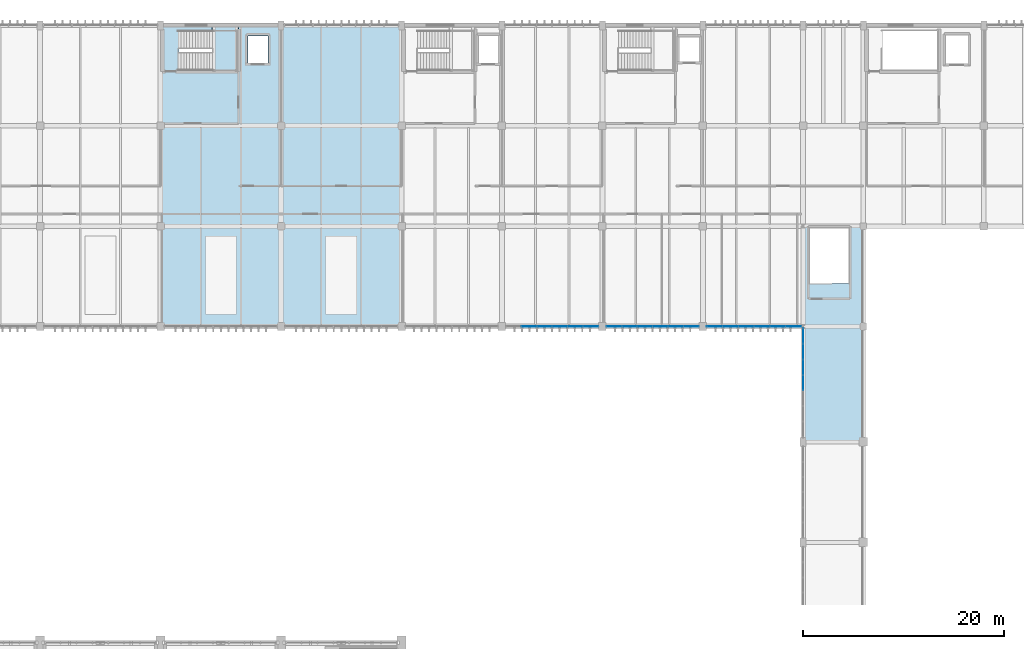
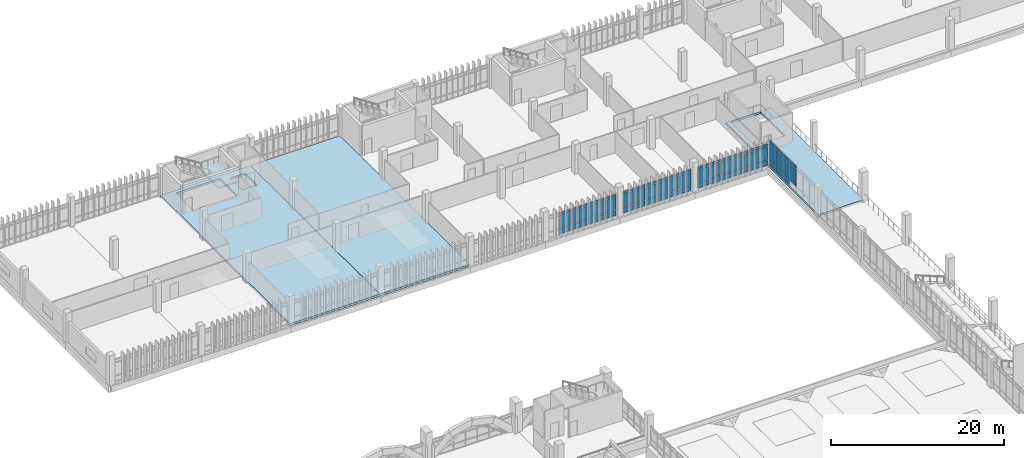
# One storey, part 133 of 161: 62 plates, 4 slabs, 5 elements without a shape of their own.
"""IFC4 building model written with IfcOpenShell, lengths in metres."""

from ifc_helpers import new_model, si_unit, direction, frame, origin, origin_2d, place, context, subcontext, project, spatial, polyline, rectangle, outline, extrude, material, layer, layer_set, type_object, element, aggregate, save


model = new_model("IFC4")

# Units and contexts
model_context = context("Model", 3, precision=1e-05, world=origin(), true_north=direction((0.0, 1.0)))
body_context = subcontext(model_context, "Body", "Model", "MODEL_VIEW")
ifc_project = project(units=[si_unit("LENGTHUNIT", "METRE"), si_unit("AREAUNIT", "SQUARE_METRE"), si_unit("VOLUMEUNIT", "CUBIC_METRE"), si_unit("PLANEANGLEUNIT", "RADIAN"), si_unit("MASSUNIT", "GRAM", prefix="KILO")], contexts=[model_context])

# Site, building, storey
site_placement = place(None, origin())
site = spatial("IfcSite", under=ifc_project, at=site_placement, CompositionType="ELEMENT")
building_placement = place(site_placement, origin())
building = spatial("IfcBuilding", under=site, at=building_placement, Name="Mersad Railyard Sports Hall", CompositionType="ELEMENT")
storey_placement = place(building_placement, frame((0.0, 0.0, 4.800048828125)))
storey = spatial("IfcBuildingStorey", under=building, at=storey_placement, Name="L01", CompositionType="ELEMENT", Elevation=4.800048828125)

# Curtain wall, plates
ifc_material_1 = material(Name="Aluminium 6063-T6", Category="aluminium")
ifc_layer_1 = layer(ifc_material_1, 0.159912109375)
ifc_layer_set_1 = layer_set([ifc_layer_1], Name="Aluminium 6063-T6")
curtain_wall_type_1 = type_object("IfcCurtainWallType", Name="ARC-CW-CW27", PredefinedType="USERDEFINED", material=ifc_layer_set_1)
curtain_wall_1_placement = place(storey_placement, origin())
curtain_wall_1 = element("IfcCurtainWall", 1, at=curtain_wall_1_placement, inside=storey, type_object=curtain_wall_type_1, Name="Curtain wall CW27-0078", ObjectType="CURTAIN WALL", PredefinedType="USERDEFINED")
ifc_material_2 = material(Name="Solar-control glass", Category="glass")
ifc_layer_2 = layer(ifc_material_2, 0.028076171875)
ifc_layer_set_2 = layer_set([ifc_layer_2], Name="Solar-control glass")
plate_type = type_object("IfcPlateType", Name="ARC-CW-PNL01", PredefinedType="CURTAIN_PANEL", material=ifc_layer_set_2)
plate_1_placement = place(storey_placement, frame((131.0, 79.39990234375, 0.89501953125), z_axis=(0.0, 0.0, 1.0), x_axis=(0.0, 1.0, 0.0)))
plate_1 = element("IfcPlate", 2, at=plate_1_placement, type_object=plate_type, Name="CW27 Glazed panel 4-2", PredefinedType="CURTAIN_PANEL", context=body_context, shape_type="SweptSolid", body=[
    extrude(rectangle(XDim=1.50732421875, YDim=0.028076171875, at=origin_2d()), origin(), (0.0, 0.0, 1.0), 2.43994140625),
])
plate_2_placement = place(storey_placement, frame((131.0, 79.39990234375, 3.4248046875), z_axis=(0.0, 0.0, 1.0), x_axis=(0.0, 1.0, 0.0)))
plate_2 = element("IfcPlate", 3, at=plate_2_placement, type_object=plate_type, Name="CW27 Glazed panel 4-3", PredefinedType="CURTAIN_PANEL", context=body_context, shape_type="SweptSolid", body=[
    extrude(rectangle(XDim=1.50732421875, YDim=0.028076171875, at=origin_2d()), origin(), (0.0, 0.0, 1.0), 0.35009765625),
])
plate_3_placement = place(storey_placement, frame((131.0, 80.951416015625, 0.0849609375), z_axis=(0.0, 0.0, 1.0), x_axis=(0.0, 1.0, 0.0)))
plate_3 = element("IfcPlate", 4, at=plate_3_placement, type_object=plate_type, Name="CW27 Glazed panel 5-1", PredefinedType="CURTAIN_PANEL", context=body_context, shape_type="SweptSolid", body=[
    extrude(rectangle(XDim=1.50732421875, YDim=0.028076171875, at=origin_2d()), origin(), (0.0, 0.0, 1.0), 0.719970703125),
])
plate_4_placement = place(storey_placement, frame((131.0, 80.951416015625, 0.89501953125), z_axis=(0.0, 0.0, 1.0), x_axis=(0.0, 1.0, 0.0)))
plate_4 = element("IfcPlate", 5, at=plate_4_placement, type_object=plate_type, Name="CW27 Glazed panel 5-2", PredefinedType="CURTAIN_PANEL", context=body_context, shape_type="SweptSolid", body=[
    extrude(rectangle(XDim=1.50732421875, YDim=0.028076171875, at=origin_2d()), origin(), (0.0, 0.0, 1.0), 2.43994140625),
])
plate_5_placement = place(storey_placement, frame((131.0, 80.951416015625, 3.4248046875), z_axis=(0.0, 0.0, 1.0), x_axis=(0.0, 1.0, 0.0)))
plate_5 = element("IfcPlate", 6, at=plate_5_placement, type_object=plate_type, Name="CW27 Glazed panel 5-3", PredefinedType="CURTAIN_PANEL", context=body_context, shape_type="SweptSolid", body=[
    extrude(rectangle(XDim=1.50732421875, YDim=0.028076171875, at=origin_2d()), origin(), (0.0, 0.0, 1.0), 0.35009765625),
])
plate_6_placement = place(storey_placement, frame((131.0, 82.5029296875, 0.0849609375), z_axis=(0.0, 0.0, 1.0), x_axis=(0.0, 1.0, 0.0)))
plate_6 = element("IfcPlate", 7, at=plate_6_placement, type_object=plate_type, Name="CW27 Glazed panel 6-1", PredefinedType="CURTAIN_PANEL", context=body_context, shape_type="SweptSolid", body=[
    extrude(rectangle(XDim=1.50732421875, YDim=0.028076171875, at=origin_2d()), origin(), (0.0, 0.0, 1.0), 0.719970703125),
])
plate_7_placement = place(storey_placement, frame((131.0, 82.5029296875, 0.89501953125), z_axis=(0.0, 0.0, 1.0), x_axis=(0.0, 1.0, 0.0)))
plate_7 = element("IfcPlate", 8, at=plate_7_placement, type_object=plate_type, Name="CW27 Glazed panel 6-2", PredefinedType="CURTAIN_PANEL", context=body_context, shape_type="SweptSolid", body=[
    extrude(rectangle(XDim=1.50732421875, YDim=0.028076171875, at=origin_2d()), origin(), (0.0, 0.0, 1.0), 2.43994140625),
])
plate_8_placement = place(storey_placement, frame((131.0, 82.5029296875, 3.4248046875), z_axis=(0.0, 0.0, 1.0), x_axis=(0.0, 1.0, 0.0)))
plate_8 = element("IfcPlate", 9, at=plate_8_placement, type_object=plate_type, Name="CW27 Glazed panel 6-3", PredefinedType="CURTAIN_PANEL", context=body_context, shape_type="SweptSolid", body=[
    extrude(rectangle(XDim=1.50732421875, YDim=0.028076171875, at=origin_2d()), origin(), (0.0, 0.0, 1.0), 0.35009765625),
])
plate_9_placement = place(storey_placement, frame((131.0, 84.05419921875, 0.0849609375), z_axis=(0.0, 0.0, 1.0), x_axis=(0.0, 1.0, 0.0)))
plate_9 = element("IfcPlate", 10, at=plate_9_placement, type_object=plate_type, Name="CW27 Glazed panel 7-1", PredefinedType="CURTAIN_PANEL", context=body_context, shape_type="SweptSolid", body=[
    extrude(rectangle(XDim=1.50732421875, YDim=0.028076171875, at=origin_2d()), origin(), (0.0, 0.0, 1.0), 0.719970703125),
])
plate_10_placement = place(storey_placement, frame((131.0, 84.05419921875, 0.89501953125), z_axis=(0.0, 0.0, 1.0), x_axis=(0.0, 1.0, 0.0)))
plate_10 = element("IfcPlate", 11, at=plate_10_placement, type_object=plate_type, Name="CW27 Glazed panel 7-2", PredefinedType="CURTAIN_PANEL", context=body_context, shape_type="SweptSolid", body=[
    extrude(rectangle(XDim=1.50732421875, YDim=0.028076171875, at=origin_2d()), origin(), (0.0, 0.0, 1.0), 2.43994140625),
])
plate_11_placement = place(storey_placement, frame((131.0, 84.05419921875, 3.4248046875), z_axis=(0.0, 0.0, 1.0), x_axis=(0.0, 1.0, 0.0)))
plate_11 = element("IfcPlate", 12, at=plate_11_placement, type_object=plate_type, Name="CW27 Glazed panel 7-3", PredefinedType="CURTAIN_PANEL", context=body_context, shape_type="SweptSolid", body=[
    extrude(rectangle(XDim=1.50732421875, YDim=0.028076171875, at=origin_2d()), origin(), (0.0, 0.0, 1.0), 0.35009765625),
])
aggregate(curtain_wall_1, [plate_1, plate_2, plate_3, plate_4, plate_5, plate_6, plate_7, plate_8, plate_9, plate_10, plate_11])

ifc_layer_3 = layer(ifc_material_1, 0.159912109375)
ifc_layer_set_3 = layer_set([ifc_layer_3], Name="Aluminium 6063-T6")
curtain_wall_type_2 = type_object("IfcCurtainWallType", Name="ARC-CW-CW38", PredefinedType="USERDEFINED", material=ifc_layer_set_3)
curtain_wall_2_placement = place(storey_placement, origin())
curtain_wall_2 = element("IfcCurtainWall", 13, at=curtain_wall_2_placement, inside=storey, type_object=curtain_wall_type_2, Name="Curtain wall CW38-0109", ObjectType="CURTAIN WALL", PredefinedType="USERDEFINED")
plate_12_placement = place(storey_placement, frame((109.83740234375, 85.0, 0.0849609375), z_axis=(0.0, 0.0, 1.0), x_axis=(-1.0, 0.0, 0.0)))
plate_12 = element("IfcPlate", 14, at=plate_12_placement, type_object=plate_type, Name="CW38 Glazed panel 1-1", PredefinedType="CURTAIN_PANEL", context=body_context, shape_type="SweptSolid", body=[
    extrude(rectangle(XDim=1.490966796875, YDim=0.028076171875, at=origin_2d()), origin(), (0.0, 0.0, 1.0), 0.719970703125),
])
plate_13_placement = place(storey_placement, frame((109.83740234375, 85.0, 0.89501953125), z_axis=(0.0, 0.0, 1.0), x_axis=(-1.0, 0.0, 0.0)))
plate_13 = element("IfcPlate", 15, at=plate_13_placement, type_object=plate_type, Name="CW38 Glazed panel 1-2", PredefinedType="CURTAIN_PANEL", context=body_context, shape_type="SweptSolid", body=[
    extrude(rectangle(XDim=1.490966796875, YDim=0.028076171875, at=origin_2d()), origin(), (0.0, 0.0, 1.0), 1.81005859375),
])
plate_14_placement = place(storey_placement, frame((109.83740234375, 85.0, 2.794921875), z_axis=(0.0, 0.0, 1.0), x_axis=(-1.0, 0.0, 0.0)))
plate_14 = element("IfcPlate", 16, at=plate_14_placement, type_object=plate_type, Name="CW38 Glazed panel 1-3", PredefinedType="CURTAIN_PANEL", context=body_context, shape_type="SweptSolid", body=[
    extrude(rectangle(XDim=1.490966796875, YDim=0.028076171875, at=origin_2d()), origin(), (0.0, 0.0, 1.0), 0.35009765625),
])
plate_15_placement = place(storey_placement, frame((108.302490234375, 85.0, 0.0849609375), z_axis=(0.0, 0.0, 1.0), x_axis=(-1.0, 0.0, 0.0)))
plate_15 = element("IfcPlate", 17, at=plate_15_placement, type_object=plate_type, Name="CW38 Glazed panel 2-1", PredefinedType="CURTAIN_PANEL", context=body_context, shape_type="SweptSolid", body=[
    extrude(rectangle(XDim=1.490966796875, YDim=0.028076171875, at=origin_2d()), origin(), (0.0, 0.0, 1.0), 0.719970703125),
])
plate_16_placement = place(storey_placement, frame((108.302490234375, 85.0, 0.89501953125), z_axis=(0.0, 0.0, 1.0), x_axis=(-1.0, 0.0, 0.0)))
plate_16 = element("IfcPlate", 18, at=plate_16_placement, type_object=plate_type, Name="CW38 Glazed panel 2-2", PredefinedType="CURTAIN_PANEL", context=body_context, shape_type="SweptSolid", body=[
    extrude(rectangle(XDim=1.490966796875, YDim=0.028076171875, at=origin_2d()), origin(), (0.0, 0.0, 1.0), 1.81005859375),
])
plate_17_placement = place(storey_placement, frame((108.302490234375, 85.0, 2.794921875), z_axis=(0.0, 0.0, 1.0), x_axis=(-1.0, 0.0, 0.0)))
plate_17 = element("IfcPlate", 19, at=plate_17_placement, type_object=plate_type, Name="CW38 Glazed panel 2-3", PredefinedType="CURTAIN_PANEL", context=body_context, shape_type="SweptSolid", body=[
    extrude(rectangle(XDim=1.490966796875, YDim=0.028076171875, at=origin_2d()), origin(), (0.0, 0.0, 1.0), 0.35009765625),
])
plate_18_placement = place(storey_placement, frame((106.767578125, 85.0, 0.0849609375), z_axis=(0.0, 0.0, 1.0), x_axis=(-1.0, 0.0, 0.0)))
plate_18 = element("IfcPlate", 20, at=plate_18_placement, type_object=plate_type, Name="CW38 Glazed panel 3-1", PredefinedType="CURTAIN_PANEL", context=body_context, shape_type="SweptSolid", body=[
    extrude(rectangle(XDim=1.490966796875, YDim=0.028076171875, at=origin_2d()), origin(), (0.0, 0.0, 1.0), 0.719970703125),
])
plate_19_placement = place(storey_placement, frame((106.767578125, 85.0, 0.89501953125), z_axis=(0.0, 0.0, 1.0), x_axis=(-1.0, 0.0, 0.0)))
plate_19 = element("IfcPlate", 21, at=plate_19_placement, type_object=plate_type, Name="CW38 Glazed panel 3-2", PredefinedType="CURTAIN_PANEL", context=body_context, shape_type="SweptSolid", body=[
    extrude(rectangle(XDim=1.490966796875, YDim=0.028076171875, at=origin_2d()), origin(), (0.0, 0.0, 1.0), 1.81005859375),
])
plate_20_placement = place(storey_placement, frame((106.767578125, 85.0, 2.794921875), z_axis=(0.0, 0.0, 1.0), x_axis=(-1.0, 0.0, 0.0)))
plate_20 = element("IfcPlate", 22, at=plate_20_placement, type_object=plate_type, Name="CW38 Glazed panel 3-3", PredefinedType="CURTAIN_PANEL", context=body_context, shape_type="SweptSolid", body=[
    extrude(rectangle(XDim=1.490966796875, YDim=0.028076171875, at=origin_2d()), origin(), (0.0, 0.0, 1.0), 0.35009765625),
])
plate_21_placement = place(storey_placement, frame((105.232421875, 85.0, 0.0849609375), z_axis=(0.0, 0.0, 1.0), x_axis=(-1.0, 0.0, 0.0)))
plate_21 = element("IfcPlate", 23, at=plate_21_placement, type_object=plate_type, Name="CW38 Glazed panel 4-1", PredefinedType="CURTAIN_PANEL", context=body_context, shape_type="SweptSolid", body=[
    extrude(rectangle(XDim=1.490966796875, YDim=0.028076171875, at=origin_2d()), origin(), (0.0, 0.0, 1.0), 0.719970703125),
])
plate_22_placement = place(storey_placement, frame((105.232421875, 85.0, 0.89501953125), z_axis=(0.0, 0.0, 1.0), x_axis=(-1.0, 0.0, 0.0)))
plate_22 = element("IfcPlate", 24, at=plate_22_placement, type_object=plate_type, Name="CW38 Glazed panel 4-2", PredefinedType="CURTAIN_PANEL", context=body_context, shape_type="SweptSolid", body=[
    extrude(rectangle(XDim=1.490966796875, YDim=0.028076171875, at=origin_2d()), origin(), (0.0, 0.0, 1.0), 1.81005859375),
])
plate_23_placement = place(storey_placement, frame((105.232421875, 85.0, 2.794921875), z_axis=(0.0, 0.0, 1.0), x_axis=(-1.0, 0.0, 0.0)))
plate_23 = element("IfcPlate", 25, at=plate_23_placement, type_object=plate_type, Name="CW38 Glazed panel 4-3", PredefinedType="CURTAIN_PANEL", context=body_context, shape_type="SweptSolid", body=[
    extrude(rectangle(XDim=1.490966796875, YDim=0.028076171875, at=origin_2d()), origin(), (0.0, 0.0, 1.0), 0.35009765625),
])
plate_24_placement = place(storey_placement, frame((103.697509765625, 85.0, 0.0849609375), z_axis=(0.0, 0.0, 1.0), x_axis=(-1.0, 0.0, 0.0)))
plate_24 = element("IfcPlate", 26, at=plate_24_placement, type_object=plate_type, Name="CW38 Glazed panel 5-1", PredefinedType="CURTAIN_PANEL", context=body_context, shape_type="SweptSolid", body=[
    extrude(rectangle(XDim=1.490966796875, YDim=0.028076171875, at=origin_2d()), origin(), (0.0, 0.0, 1.0), 0.719970703125),
])
plate_25_placement = place(storey_placement, frame((103.697509765625, 85.0, 0.89501953125), z_axis=(0.0, 0.0, 1.0), x_axis=(-1.0, 0.0, 0.0)))
plate_25 = element("IfcPlate", 27, at=plate_25_placement, type_object=plate_type, Name="CW38 Glazed panel 5-2", PredefinedType="CURTAIN_PANEL", context=body_context, shape_type="SweptSolid", body=[
    extrude(rectangle(XDim=1.490966796875, YDim=0.028076171875, at=origin_2d()), origin(), (0.0, 0.0, 1.0), 1.81005859375),
])
plate_26_placement = place(storey_placement, frame((103.697509765625, 85.0, 2.794921875), z_axis=(0.0, 0.0, 1.0), x_axis=(-1.0, 0.0, 0.0)))
plate_26 = element("IfcPlate", 28, at=plate_26_placement, type_object=plate_type, Name="CW38 Glazed panel 5-3", PredefinedType="CURTAIN_PANEL", context=body_context, shape_type="SweptSolid", body=[
    extrude(rectangle(XDim=1.490966796875, YDim=0.028076171875, at=origin_2d()), origin(), (0.0, 0.0, 1.0), 0.35009765625),
])
aggregate(curtain_wall_2, [plate_12, plate_13, plate_14, plate_15, plate_16, plate_17, plate_18, plate_19, plate_20, plate_21, plate_22, plate_23, plate_24, plate_25, plate_26])

curtain_wall_3_placement = place(storey_placement, origin())
curtain_wall_3 = element("IfcCurtainWall", 29, at=curtain_wall_3_placement, inside=storey, type_object=curtain_wall_type_2, Name="Curtain wall CW38-0110", ObjectType="CURTAIN WALL", PredefinedType="USERDEFINED")
plate_27_placement = place(storey_placement, frame((119.83740234375, 85.0, 0.0849609375), z_axis=(0.0, 0.0, 1.0), x_axis=(-1.0, 0.0, 0.0)))
plate_27 = element("IfcPlate", 30, at=plate_27_placement, type_object=plate_type, Name="CW38 Glazed panel 1-1", PredefinedType="CURTAIN_PANEL", context=body_context, shape_type="SweptSolid", body=[
    extrude(rectangle(XDim=1.490966796875, YDim=0.028076171875, at=origin_2d()), origin(), (0.0, 0.0, 1.0), 0.719970703125),
])
plate_28_placement = place(storey_placement, frame((119.83740234375, 85.0, 0.89501953125), z_axis=(0.0, 0.0, 1.0), x_axis=(-1.0, 0.0, 0.0)))
plate_28 = element("IfcPlate", 31, at=plate_28_placement, type_object=plate_type, Name="CW38 Glazed panel 1-2", PredefinedType="CURTAIN_PANEL", context=body_context, shape_type="SweptSolid", body=[
    extrude(rectangle(XDim=1.490966796875, YDim=0.028076171875, at=origin_2d()), origin(), (0.0, 0.0, 1.0), 1.81005859375),
])
plate_29_placement = place(storey_placement, frame((119.83740234375, 85.0, 2.794921875), z_axis=(0.0, 0.0, 1.0), x_axis=(-1.0, 0.0, 0.0)))
plate_29 = element("IfcPlate", 32, at=plate_29_placement, type_object=plate_type, Name="CW38 Glazed panel 1-3", PredefinedType="CURTAIN_PANEL", context=body_context, shape_type="SweptSolid", body=[
    extrude(rectangle(XDim=1.490966796875, YDim=0.028076171875, at=origin_2d()), origin(), (0.0, 0.0, 1.0), 0.35009765625),
])
plate_30_placement = place(storey_placement, frame((118.302490234375, 85.0, 0.0849609375), z_axis=(0.0, 0.0, 1.0), x_axis=(-1.0, 0.0, 0.0)))
plate_30 = element("IfcPlate", 33, at=plate_30_placement, type_object=plate_type, Name="CW38 Glazed panel 2-1", PredefinedType="CURTAIN_PANEL", context=body_context, shape_type="SweptSolid", body=[
    extrude(rectangle(XDim=1.490966796875, YDim=0.028076171875, at=origin_2d()), origin(), (0.0, 0.0, 1.0), 0.719970703125),
])
plate_31_placement = place(storey_placement, frame((118.302490234375, 85.0, 0.89501953125), z_axis=(0.0, 0.0, 1.0), x_axis=(-1.0, 0.0, 0.0)))
plate_31 = element("IfcPlate", 34, at=plate_31_placement, type_object=plate_type, Name="CW38 Glazed panel 2-2", PredefinedType="CURTAIN_PANEL", context=body_context, shape_type="SweptSolid", body=[
    extrude(rectangle(XDim=1.490966796875, YDim=0.028076171875, at=origin_2d()), origin(), (0.0, 0.0, 1.0), 1.81005859375),
])
plate_32_placement = place(storey_placement, frame((118.302490234375, 85.0, 2.794921875), z_axis=(0.0, 0.0, 1.0), x_axis=(-1.0, 0.0, 0.0)))
plate_32 = element("IfcPlate", 35, at=plate_32_placement, type_object=plate_type, Name="CW38 Glazed panel 2-3", PredefinedType="CURTAIN_PANEL", context=body_context, shape_type="SweptSolid", body=[
    extrude(rectangle(XDim=1.490966796875, YDim=0.028076171875, at=origin_2d()), origin(), (0.0, 0.0, 1.0), 0.35009765625),
])
plate_33_placement = place(storey_placement, frame((116.767578125, 85.0, 0.0849609375), z_axis=(0.0, 0.0, 1.0), x_axis=(-1.0, 0.0, 0.0)))
plate_33 = element("IfcPlate", 36, at=plate_33_placement, type_object=plate_type, Name="CW38 Glazed panel 3-1", PredefinedType="CURTAIN_PANEL", context=body_context, shape_type="SweptSolid", body=[
    extrude(rectangle(XDim=1.490966796875, YDim=0.028076171875, at=origin_2d()), origin(), (0.0, 0.0, 1.0), 0.719970703125),
])
plate_34_placement = place(storey_placement, frame((116.767578125, 85.0, 0.89501953125), z_axis=(0.0, 0.0, 1.0), x_axis=(-1.0, 0.0, 0.0)))
plate_34 = element("IfcPlate", 37, at=plate_34_placement, type_object=plate_type, Name="CW38 Glazed panel 3-2", PredefinedType="CURTAIN_PANEL", context=body_context, shape_type="SweptSolid", body=[
    extrude(rectangle(XDim=1.490966796875, YDim=0.028076171875, at=origin_2d()), origin(), (0.0, 0.0, 1.0), 1.81005859375),
])
plate_35_placement = place(storey_placement, frame((116.767578125, 85.0, 2.794921875), z_axis=(0.0, 0.0, 1.0), x_axis=(-1.0, 0.0, 0.0)))
plate_35 = element("IfcPlate", 38, at=plate_35_placement, type_object=plate_type, Name="CW38 Glazed panel 3-3", PredefinedType="CURTAIN_PANEL", context=body_context, shape_type="SweptSolid", body=[
    extrude(rectangle(XDim=1.490966796875, YDim=0.028076171875, at=origin_2d()), origin(), (0.0, 0.0, 1.0), 0.35009765625),
])
plate_36_placement = place(storey_placement, frame((115.232421875, 85.0, 0.0849609375), z_axis=(0.0, 0.0, 1.0), x_axis=(-1.0, 0.0, 0.0)))
plate_36 = element("IfcPlate", 39, at=plate_36_placement, type_object=plate_type, Name="CW38 Glazed panel 4-1", PredefinedType="CURTAIN_PANEL", context=body_context, shape_type="SweptSolid", body=[
    extrude(rectangle(XDim=1.490966796875, YDim=0.028076171875, at=origin_2d()), origin(), (0.0, 0.0, 1.0), 0.719970703125),
])
plate_37_placement = place(storey_placement, frame((115.232421875, 85.0, 0.89501953125), z_axis=(0.0, 0.0, 1.0), x_axis=(-1.0, 0.0, 0.0)))
plate_37 = element("IfcPlate", 40, at=plate_37_placement, type_object=plate_type, Name="CW38 Glazed panel 4-2", PredefinedType="CURTAIN_PANEL", context=body_context, shape_type="SweptSolid", body=[
    extrude(rectangle(XDim=1.490966796875, YDim=0.028076171875, at=origin_2d()), origin(), (0.0, 0.0, 1.0), 1.81005859375),
])
plate_38_placement = place(storey_placement, frame((115.232421875, 85.0, 2.794921875), z_axis=(0.0, 0.0, 1.0), x_axis=(-1.0, 0.0, 0.0)))
plate_38 = element("IfcPlate", 41, at=plate_38_placement, type_object=plate_type, Name="CW38 Glazed panel 4-3", PredefinedType="CURTAIN_PANEL", context=body_context, shape_type="SweptSolid", body=[
    extrude(rectangle(XDim=1.490966796875, YDim=0.028076171875, at=origin_2d()), origin(), (0.0, 0.0, 1.0), 0.35009765625),
])
plate_39_placement = place(storey_placement, frame((113.697509765625, 85.0, 0.0849609375), z_axis=(0.0, 0.0, 1.0), x_axis=(-1.0, 0.0, 0.0)))
plate_39 = element("IfcPlate", 42, at=plate_39_placement, type_object=plate_type, Name="CW38 Glazed panel 5-1", PredefinedType="CURTAIN_PANEL", context=body_context, shape_type="SweptSolid", body=[
    extrude(rectangle(XDim=1.490966796875, YDim=0.028076171875, at=origin_2d()), origin(), (0.0, 0.0, 1.0), 0.719970703125),
])
plate_40_placement = place(storey_placement, frame((113.697509765625, 85.0, 0.89501953125), z_axis=(0.0, 0.0, 1.0), x_axis=(-1.0, 0.0, 0.0)))
plate_40 = element("IfcPlate", 43, at=plate_40_placement, type_object=plate_type, Name="CW38 Glazed panel 5-2", PredefinedType="CURTAIN_PANEL", context=body_context, shape_type="SweptSolid", body=[
    extrude(rectangle(XDim=1.490966796875, YDim=0.028076171875, at=origin_2d()), origin(), (0.0, 0.0, 1.0), 1.81005859375),
])
plate_41_placement = place(storey_placement, frame((113.697509765625, 85.0, 2.794921875), z_axis=(0.0, 0.0, 1.0), x_axis=(-1.0, 0.0, 0.0)))
plate_41 = element("IfcPlate", 44, at=plate_41_placement, type_object=plate_type, Name="CW38 Glazed panel 5-3", PredefinedType="CURTAIN_PANEL", context=body_context, shape_type="SweptSolid", body=[
    extrude(rectangle(XDim=1.490966796875, YDim=0.028076171875, at=origin_2d()), origin(), (0.0, 0.0, 1.0), 0.35009765625),
])
plate_42_placement = place(storey_placement, frame((112.16259765625, 85.0, 0.0849609375), z_axis=(0.0, 0.0, 1.0), x_axis=(-1.0, 0.0, 0.0)))
plate_42 = element("IfcPlate", 45, at=plate_42_placement, type_object=plate_type, Name="CW38 Glazed panel 6-1", PredefinedType="CURTAIN_PANEL", context=body_context, shape_type="SweptSolid", body=[
    extrude(rectangle(XDim=1.490966796875, YDim=0.028076171875, at=origin_2d()), origin(), (0.0, 0.0, 1.0), 0.719970703125),
])
plate_43_placement = place(storey_placement, frame((112.16259765625, 85.0, 0.89501953125), z_axis=(0.0, 0.0, 1.0), x_axis=(-1.0, 0.0, 0.0)))
plate_43 = element("IfcPlate", 46, at=plate_43_placement, type_object=plate_type, Name="CW38 Glazed panel 6-2", PredefinedType="CURTAIN_PANEL", context=body_context, shape_type="SweptSolid", body=[
    extrude(rectangle(XDim=1.490966796875, YDim=0.028076171875, at=origin_2d()), origin(), (0.0, 0.0, 1.0), 1.81005859375),
])
plate_44_placement = place(storey_placement, frame((112.16259765625, 85.0, 2.794921875), z_axis=(0.0, 0.0, 1.0), x_axis=(-1.0, 0.0, 0.0)))
plate_44 = element("IfcPlate", 47, at=plate_44_placement, type_object=plate_type, Name="CW38 Glazed panel 6-3", PredefinedType="CURTAIN_PANEL", context=body_context, shape_type="SweptSolid", body=[
    extrude(rectangle(XDim=1.490966796875, YDim=0.028076171875, at=origin_2d()), origin(), (0.0, 0.0, 1.0), 0.35009765625),
])
aggregate(curtain_wall_3, [plate_27, plate_28, plate_29, plate_30, plate_31, plate_32, plate_33, plate_34, plate_35, plate_36, plate_37, plate_38, plate_39, plate_40, plate_41, plate_42, plate_43, plate_44])

ifc_layer_4 = layer(ifc_material_1, 0.159912109375)
ifc_layer_set_4 = layer_set([ifc_layer_4], Name="Aluminium 6063-T6")
curtain_wall_type_3 = type_object("IfcCurtainWallType", Name="ARC-CW-CW39", PredefinedType="USERDEFINED", material=ifc_layer_set_4)
curtain_wall_4_placement = place(storey_placement, origin())
curtain_wall_4 = element("IfcCurtainWall", 48, at=curtain_wall_4_placement, inside=storey, type_object=curtain_wall_type_3, Name="Curtain wall CW39-0111", ObjectType="CURTAIN WALL", PredefinedType="USERDEFINED")
plate_45_placement = place(storey_placement, frame((130.043701171875, 85.0, 0.0849609375), z_axis=(0.0, 0.0, 1.0), x_axis=(-1.0, 0.0, 0.0)))
plate_45 = element("IfcPlate", 49, at=plate_45_placement, type_object=plate_type, Name="CW39 Glazed panel 1-1", PredefinedType="CURTAIN_PANEL", context=body_context, shape_type="SweptSolid", body=[
    extrude(rectangle(XDim=1.528564453125, YDim=0.028076171875, at=origin_2d()), origin(), (0.0, 0.0, 1.0), 0.719970703125),
])
plate_46_placement = place(storey_placement, frame((130.043701171875, 85.0, 0.89501953125), z_axis=(0.0, 0.0, 1.0), x_axis=(-1.0, 0.0, 0.0)))
plate_46 = element("IfcPlate", 50, at=plate_46_placement, type_object=plate_type, Name="CW39 Glazed panel 1-2", PredefinedType="CURTAIN_PANEL", context=body_context, shape_type="SweptSolid", body=[
    extrude(rectangle(XDim=1.528564453125, YDim=0.028076171875, at=origin_2d()), origin(), (0.0, 0.0, 1.0), 1.81005859375),
])
plate_47_placement = place(storey_placement, frame((130.043701171875, 85.0, 2.794921875), z_axis=(0.0, 0.0, 1.0), x_axis=(-1.0, 0.0, 0.0)))
plate_47 = element("IfcPlate", 51, at=plate_47_placement, type_object=plate_type, Name="CW39 Glazed panel 1-3", PredefinedType="CURTAIN_PANEL", context=body_context, shape_type="SweptSolid", body=[
    extrude(rectangle(XDim=1.528564453125, YDim=0.028076171875, at=origin_2d()), origin(), (0.0, 0.0, 1.0), 0.35009765625),
])
plate_48_placement = place(storey_placement, frame((128.47119140625, 85.0, 0.0849609375), z_axis=(0.0, 0.0, 1.0), x_axis=(-1.0, 0.0, 0.0)))
plate_48 = element("IfcPlate", 52, at=plate_48_placement, type_object=plate_type, Name="CW39 Glazed panel 2-1", PredefinedType="CURTAIN_PANEL", context=body_context, shape_type="SweptSolid", body=[
    extrude(rectangle(XDim=1.528564453125, YDim=0.028076171875, at=origin_2d()), origin(), (0.0, 0.0, 1.0), 0.719970703125),
])
plate_49_placement = place(storey_placement, frame((128.47119140625, 85.0, 0.89501953125), z_axis=(0.0, 0.0, 1.0), x_axis=(-1.0, 0.0, 0.0)))
plate_49 = element("IfcPlate", 53, at=plate_49_placement, type_object=plate_type, Name="CW39 Glazed panel 2-2", PredefinedType="CURTAIN_PANEL", context=body_context, shape_type="SweptSolid", body=[
    extrude(rectangle(XDim=1.528564453125, YDim=0.028076171875, at=origin_2d()), origin(), (0.0, 0.0, 1.0), 1.81005859375),
])
plate_50_placement = place(storey_placement, frame((128.47119140625, 85.0, 2.794921875), z_axis=(0.0, 0.0, 1.0), x_axis=(-1.0, 0.0, 0.0)))
plate_50 = element("IfcPlate", 54, at=plate_50_placement, type_object=plate_type, Name="CW39 Glazed panel 2-3", PredefinedType="CURTAIN_PANEL", context=body_context, shape_type="SweptSolid", body=[
    extrude(rectangle(XDim=1.528564453125, YDim=0.028076171875, at=origin_2d()), origin(), (0.0, 0.0, 1.0), 0.35009765625),
])
plate_51_placement = place(storey_placement, frame((126.898681640625, 85.0, 0.0849609375), z_axis=(0.0, 0.0, 1.0), x_axis=(-1.0, 0.0, 0.0)))
plate_51 = element("IfcPlate", 55, at=plate_51_placement, type_object=plate_type, Name="CW39 Glazed panel 3-1", PredefinedType="CURTAIN_PANEL", context=body_context, shape_type="SweptSolid", body=[
    extrude(rectangle(XDim=1.528564453125, YDim=0.028076171875, at=origin_2d()), origin(), (0.0, 0.0, 1.0), 0.719970703125),
])
plate_52_placement = place(storey_placement, frame((126.898681640625, 85.0, 0.89501953125), z_axis=(0.0, 0.0, 1.0), x_axis=(-1.0, 0.0, 0.0)))
plate_52 = element("IfcPlate", 56, at=plate_52_placement, type_object=plate_type, Name="CW39 Glazed panel 3-2", PredefinedType="CURTAIN_PANEL", context=body_context, shape_type="SweptSolid", body=[
    extrude(rectangle(XDim=1.528564453125, YDim=0.028076171875, at=origin_2d()), origin(), (0.0, 0.0, 1.0), 1.81005859375),
])
plate_53_placement = place(storey_placement, frame((126.898681640625, 85.0, 2.794921875), z_axis=(0.0, 0.0, 1.0), x_axis=(-1.0, 0.0, 0.0)))
plate_53 = element("IfcPlate", 57, at=plate_53_placement, type_object=plate_type, Name="CW39 Glazed panel 3-3", PredefinedType="CURTAIN_PANEL", context=body_context, shape_type="SweptSolid", body=[
    extrude(rectangle(XDim=1.528564453125, YDim=0.028076171875, at=origin_2d()), origin(), (0.0, 0.0, 1.0), 0.35009765625),
])
plate_54_placement = place(storey_placement, frame((125.326171875, 85.0, 0.0849609375), z_axis=(0.0, 0.0, 1.0), x_axis=(-1.0, 0.0, 0.0)))
plate_54 = element("IfcPlate", 58, at=plate_54_placement, type_object=plate_type, Name="CW39 Glazed panel 4-1", PredefinedType="CURTAIN_PANEL", context=body_context, shape_type="SweptSolid", body=[
    extrude(rectangle(XDim=1.528564453125, YDim=0.028076171875, at=origin_2d()), origin(), (0.0, 0.0, 1.0), 0.719970703125),
])
plate_55_placement = place(storey_placement, frame((125.326171875, 85.0, 0.89501953125), z_axis=(0.0, 0.0, 1.0), x_axis=(-1.0, 0.0, 0.0)))
plate_55 = element("IfcPlate", 59, at=plate_55_placement, type_object=plate_type, Name="CW39 Glazed panel 4-2", PredefinedType="CURTAIN_PANEL", context=body_context, shape_type="SweptSolid", body=[
    extrude(rectangle(XDim=1.528564453125, YDim=0.028076171875, at=origin_2d()), origin(), (0.0, 0.0, 1.0), 1.81005859375),
])
plate_56_placement = place(storey_placement, frame((125.326171875, 85.0, 2.794921875), z_axis=(0.0, 0.0, 1.0), x_axis=(-1.0, 0.0, 0.0)))
plate_56 = element("IfcPlate", 60, at=plate_56_placement, type_object=plate_type, Name="CW39 Glazed panel 4-3", PredefinedType="CURTAIN_PANEL", context=body_context, shape_type="SweptSolid", body=[
    extrude(rectangle(XDim=1.528564453125, YDim=0.028076171875, at=origin_2d()), origin(), (0.0, 0.0, 1.0), 0.35009765625),
])
plate_57_placement = place(storey_placement, frame((123.753662109375, 85.0, 0.0849609375), z_axis=(0.0, 0.0, 1.0), x_axis=(-1.0, 0.0, 0.0)))
plate_57 = element("IfcPlate", 61, at=plate_57_placement, type_object=plate_type, Name="CW39 Glazed panel 5-1", PredefinedType="CURTAIN_PANEL", context=body_context, shape_type="SweptSolid", body=[
    extrude(rectangle(XDim=1.528564453125, YDim=0.028076171875, at=origin_2d()), origin(), (0.0, 0.0, 1.0), 0.719970703125),
])
plate_58_placement = place(storey_placement, frame((123.753662109375, 85.0, 0.89501953125), z_axis=(0.0, 0.0, 1.0), x_axis=(-1.0, 0.0, 0.0)))
plate_58 = element("IfcPlate", 62, at=plate_58_placement, type_object=plate_type, Name="CW39 Glazed panel 5-2", PredefinedType="CURTAIN_PANEL", context=body_context, shape_type="SweptSolid", body=[
    extrude(rectangle(XDim=1.528564453125, YDim=0.028076171875, at=origin_2d()), origin(), (0.0, 0.0, 1.0), 1.81005859375),
])
plate_59_placement = place(storey_placement, frame((123.753662109375, 85.0, 2.794921875), z_axis=(0.0, 0.0, 1.0), x_axis=(-1.0, 0.0, 0.0)))
plate_59 = element("IfcPlate", 63, at=plate_59_placement, type_object=plate_type, Name="CW39 Glazed panel 5-3", PredefinedType="CURTAIN_PANEL", context=body_context, shape_type="SweptSolid", body=[
    extrude(rectangle(XDim=1.528564453125, YDim=0.028076171875, at=origin_2d()), origin(), (0.0, 0.0, 1.0), 0.35009765625),
])
plate_60_placement = place(storey_placement, frame((122.18115234375, 85.0, 0.0849609375), z_axis=(0.0, 0.0, 1.0), x_axis=(-1.0, 0.0, 0.0)))
plate_60 = element("IfcPlate", 64, at=plate_60_placement, type_object=plate_type, Name="CW39 Glazed panel 6-1", PredefinedType="CURTAIN_PANEL", context=body_context, shape_type="SweptSolid", body=[
    extrude(rectangle(XDim=1.528564453125, YDim=0.028076171875, at=origin_2d()), origin(), (0.0, 0.0, 1.0), 0.719970703125),
])
plate_61_placement = place(storey_placement, frame((122.18115234375, 85.0, 0.89501953125), z_axis=(0.0, 0.0, 1.0), x_axis=(-1.0, 0.0, 0.0)))
plate_61 = element("IfcPlate", 65, at=plate_61_placement, type_object=plate_type, Name="CW39 Glazed panel 6-2", PredefinedType="CURTAIN_PANEL", context=body_context, shape_type="SweptSolid", body=[
    extrude(rectangle(XDim=1.528564453125, YDim=0.028076171875, at=origin_2d()), origin(), (0.0, 0.0, 1.0), 1.81005859375),
])
plate_62_placement = place(storey_placement, frame((122.18115234375, 85.0, 2.794921875), z_axis=(0.0, 0.0, 1.0), x_axis=(-1.0, 0.0, 0.0)))
plate_62 = element("IfcPlate", 66, at=plate_62_placement, type_object=plate_type, Name="CW39 Glazed panel 6-3", PredefinedType="CURTAIN_PANEL", context=body_context, shape_type="SweptSolid", body=[
    extrude(rectangle(XDim=1.528564453125, YDim=0.028076171875, at=origin_2d()), origin(), (0.0, 0.0, 1.0), 0.35009765625),
])
aggregate(curtain_wall_4, [plate_45, plate_46, plate_47, plate_48, plate_49, plate_50, plate_51, plate_52, plate_53, plate_54, plate_55, plate_56, plate_57, plate_58, plate_59, plate_60, plate_61, plate_62])

# Slabs
ifc_material_3 = material(Name="Concrete C40/50", Category="concrete")
ifc_layer_5 = layer(ifc_material_3, 0.280029296875)
ifc_layer_set_5 = layer_set([ifc_layer_5], Name="Concrete C40/50")
slab_type_1 = type_object("IfcSlabType", Name="STR-SL-FL02", PredefinedType="FLOOR", material=ifc_layer_set_5)
slab_1_placement = place(storey_placement, frame((0.0, 0.0, -0.280029296875)))
element("IfcSlab", 67, at=slab_1_placement, inside=storey, type_object=slab_type_1, Name="Slab SL02-0069", PredefinedType="FLOOR", context=body_context, shape_type="SweptSolid", body=[
    extrude(outline(polyline([(131.0, 73.5), (137.0, 73.5), (137.0, 95.0), (131.0, 95.0), (131.0, 73.5)]), holes=[polyline([(131.60009765625, 89.2900390625), (135.60009765625, 89.2900390625), (135.60009765625, 94.85009765625), (131.60009765625, 94.85009765625), (131.60009765625, 89.2900390625)])]), origin(), (0.0, 0.0, 1.0), 0.280029296875),
])
ifc_layer_6 = layer(ifc_material_3, 0.300048828125)
ifc_layer_set_6 = layer_set([ifc_layer_6], Name="Concrete C40/50")
slab_type_2 = type_object("IfcSlabType", Name="STR-SL-FL03", PredefinedType="FLOOR", material=ifc_layer_set_6)
slab_2_placement = place(storey_placement, frame((0.0, 0.0, -0.300048828125)))
element("IfcSlab", 68, at=slab_2_placement, inside=storey, type_object=slab_type_2, Name="Slab SL03-0072", PredefinedType="FLOOR", context=body_context, shape_type="SweptSolid", body=[
    extrude(outline(polyline([(67.0, 85.0), (79.0, 85.0), (79.0, 115.0), (67.0, 115.0), (67.0, 85.0)]), holes=[polyline([(68.7900390625, 110.5), (74.64990234375, 110.5), (74.64990234375, 114.5), (68.7900390625, 114.5), (68.7900390625, 110.5)]), polyline([(75.699951171875, 111.25), (77.699951171875, 111.25), (77.699951171875, 113.949951171875), (75.699951171875, 113.949951171875), (75.699951171875, 111.25)])]), origin(), (0.0, 0.0, 1.0), 0.300048828125),
])
slab_3_placement = place(storey_placement, frame((0.0, 0.0, -0.300048828125)))
element("IfcSlab", 69, at=slab_3_placement, inside=storey, type_object=slab_type_2, Name="Slab SL03-0073", PredefinedType="FLOOR", context=body_context, shape_type="SweptSolid", body=[
    extrude(outline(polyline([(79.0, 85.0), (91.0, 85.0), (91.0, 115.0), (79.0, 115.0), (79.0, 85.0)])), origin(), (0.0, 0.0, 1.0), 0.300048828125),
])

# Stair, slab
stair_type = type_object("IfcStairType", Name="ARC-ST-ST01C", PredefinedType="HALF_TURN_STAIR", material=ifc_material_3)
stair_placement = place(storey_placement, origin())
stair = element("IfcStair", 70, at=stair_placement, inside=storey, type_object=stair_type, Name="Core C1 Exit Stair L01-L02", PredefinedType="HALF_TURN_STAIR")
ifc_layer_7 = layer(ifc_material_3, 0.179931640625)
ifc_layer_set_7 = layer_set([ifc_layer_7], Name="Concrete C40/50")
slab_type_3 = type_object("IfcSlabType", Name="STR-SL-LD01", PredefinedType="LANDING", material=ifc_layer_set_7)
slab_4_placement = place(storey_placement, frame((0.0, 0.0, 1.919921875)))
slab_4 = element("IfcSlab", 71, at=slab_4_placement, type_object=slab_type_3, Name="Core C1 Exit Stair L01-L02 Half Landing", PredefinedType="LANDING", context=body_context, shape_type="SweptSolid", body=[
    extrude(outline(polyline([(72.110107421875, 110.3798828125), (74.77001953125, 110.3798828125), (74.77001953125, 115.050048828125), (72.110107421875, 115.050048828125), (72.110107421875, 110.3798828125)])), origin(), (0.0, 0.0, 1.0), 0.179931640625),
])
aggregate(stair, [slab_4])

save(model, "model.ifc")
